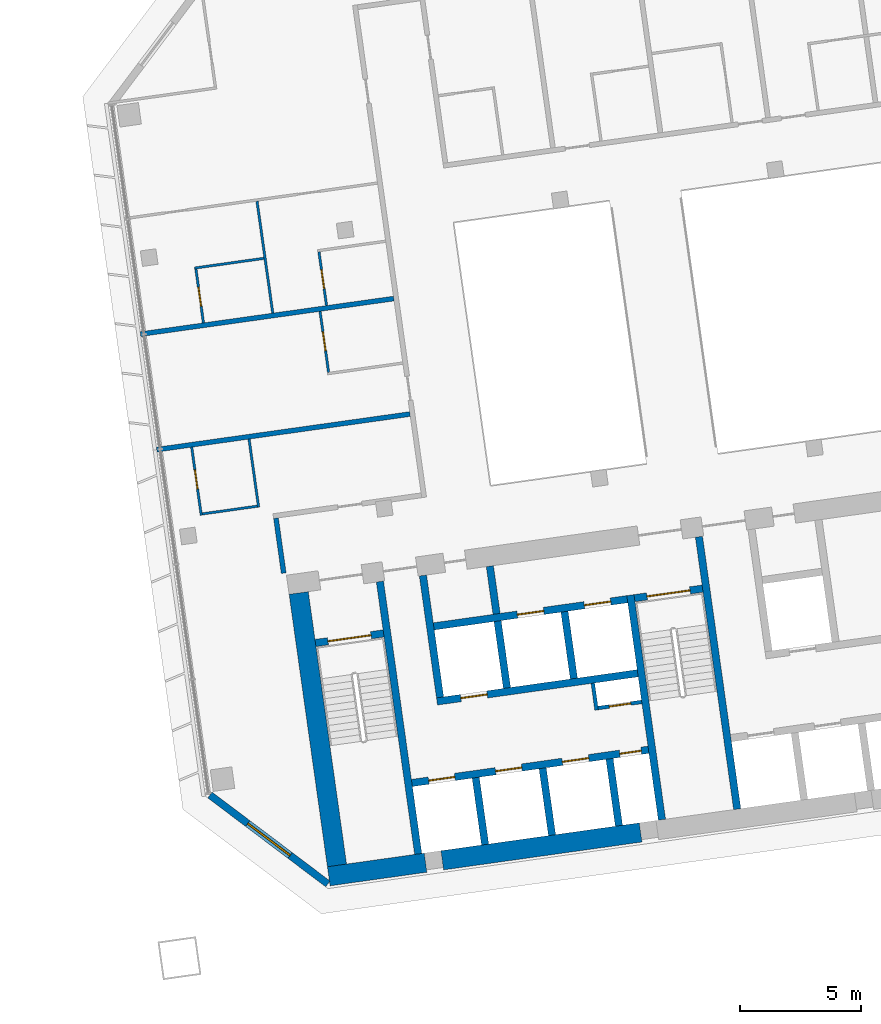
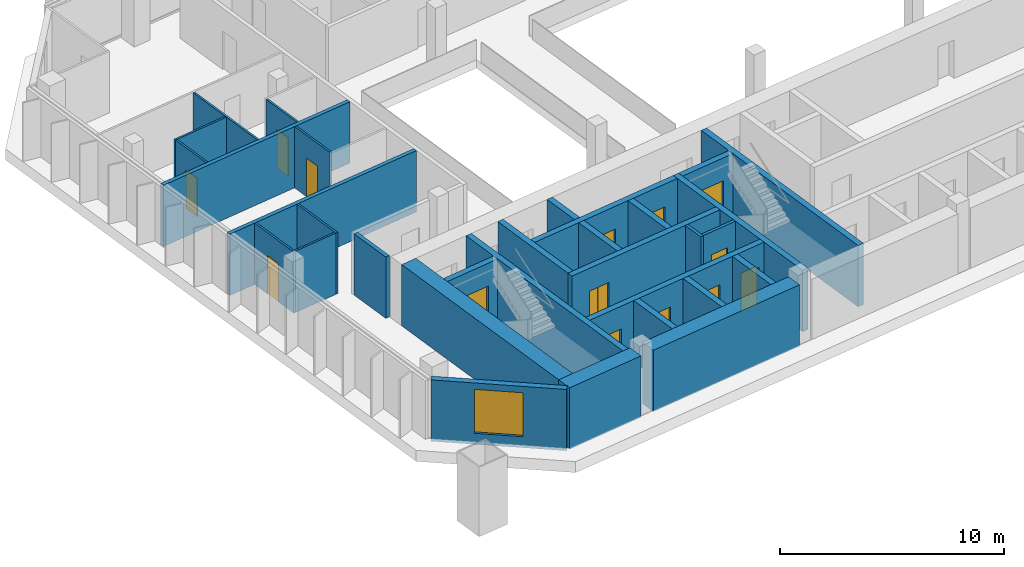
# One storey, part 20 of 26: 32 walls, 14 doors, 1 window, 15 openings.
"""IFC4 building model written with IfcOpenShell, lengths in metres."""

from ifc_helpers import new_model, si_unit, direction, frame, frame_2d, origin, place, context, subcontext, project, spatial, rectangle, extrude, material, layer, layer_set, type_object, element, fill, save


model = new_model("IFC4")

# Units and contexts
model_context = context("Model", 3, precision=1e-05, world=origin(), true_north=direction((0.0, 1.0)))
body_context = subcontext(model_context, "Body", "Model", "MODEL_VIEW")
ifc_project = project(units=[si_unit("LENGTHUNIT", "METRE"), si_unit("AREAUNIT", "SQUARE_METRE"), si_unit("VOLUMEUNIT", "CUBIC_METRE"), si_unit("PLANEANGLEUNIT", "RADIAN"), si_unit("MASSUNIT", "GRAM", prefix="KILO")], contexts=[model_context])

# Site, building, storey
site_placement = place(None, origin())
site = spatial("IfcSite", under=ifc_project, at=site_placement, CompositionType="ELEMENT")
building_placement = place(site_placement, origin())
building = spatial("IfcBuilding", under=site, at=building_placement, Name="Mirante Cascada Hotel Towers", CompositionType="ELEMENT")
storey_placement = place(building_placement, frame((0.0, 0.0, 98.7)))
storey = spatial("IfcBuildingStorey", under=building, at=storey_placement, Name="L21", CompositionType="ELEMENT", Elevation=98.7)

# Walls
ifc_material_1 = material(Name="Fire-rated plasterboard on metal studs")
ifc_layer_1 = layer(ifc_material_1, 0.2)
ifc_layer_set_1 = layer_set([ifc_layer_1], Name="Compartment wall 200 EI 120")
wall_type_1 = type_object("IfcWallType", Name="Compartment wall 200 EI 120", PredefinedType="PARTITIONING", material=ifc_layer_set_1)
wall_1_placement = place(storey_placement, frame((30.0, -2.0, 0.0), z_axis=(0.0, 0.0, 1.0), x_axis=(0.9902684, 0.1391704, 0.0)))
element("IfcWall", 1, at=wall_1_placement, inside=storey, type_object=wall_type_1, Name="Wall 2-L21-04", PredefinedType="PARTITIONING", context=body_context, shape_type="SweptSolid", body=[
    extrude(rectangle(XDim=10.6, YDim=0.2, at=frame_2d((5.3, 0.0))), origin(), (0.0, 0.0, 1.0), 3.35),
])
wall_2_placement = place(storey_placement, frame((29.3273, 2.7863, 0.0), z_axis=(0.0, 0.0, 1.0), x_axis=(0.9902686, 0.1391691, 0.0)))
element("IfcWall", 2, at=wall_2_placement, inside=storey, type_object=wall_type_1, Name="Wall 2-L21-06", PredefinedType="PARTITIONING", context=body_context, shape_type="SweptSolid", body=[
    extrude(rectangle(XDim=10.6001, YDim=0.2, at=frame_2d((5.3, 0.0))), origin(), (0.0, 0.0, 1.0), 3.35),
])
wall_3_placement = place(storey_placement, frame((34.9433, -4.8397, 0.0), z_axis=(0.0, 0.0, 1.0), x_axis=(0.1391749, -0.9902678, 0.0)))
element("IfcWall", 3, at=wall_3_placement, inside=storey, type_object=wall_type_1, Name="Wall 2-L21-23", PredefinedType="PARTITIONING", context=body_context, shape_type="SweptSolid", body=[
    extrude(rectangle(XDim=2.3, YDim=0.2, at=frame_2d((1.15, 0.0))), origin(), (0.0, 0.0, 1.0), 3.35),
])
ifc_material_2 = material(Name="Masonry block", Category="masonry")
ifc_layer_2 = layer(ifc_material_2, 0.15)
ifc_layer_set_2 = layer_set([ifc_layer_2], Name="Core room partition 150 block EI 30")
wall_type_2 = type_object("IfcWallType", Name="Core room partition 150 block EI 30", PredefinedType="PARTITIONING", material=ifc_layer_set_2)
wall_4_placement = place(storey_placement, frame((48.2295, -12.793, 0.0), z_axis=(0.0, 0.0, 1.0), x_axis=(-0.1391935, 0.9902652, 0.0)))
element("IfcWall", 4, at=wall_4_placement, inside=storey, type_object=wall_type_2, Name="Core wall partition T2 L21 2", PredefinedType="PARTITIONING", context=body_context, shape_type="SweptSolid", body=[
    extrude(rectangle(XDim=1.1251, YDim=0.15, at=frame_2d((0.5626, 0.0))), origin(), (0.0, 0.0, 1.0), 3.35),
])

# Wall, opening, door
wall_5_placement = place(storey_placement, frame((48.2933, -12.7083, 0.0), z_axis=(0.0, 0.0, 1.0), x_axis=(0.990268, 0.1391734, 0.0)))
wall_5 = element("IfcWall", 5, at=wall_5_placement, inside=storey, type_object=wall_type_2, Name="Core wall partition T2 L21 3", PredefinedType="PARTITIONING", context=body_context, shape_type="SweptSolid", body=[
    extrude(rectangle(XDim=1.8251, YDim=0.15, at=frame_2d((0.9126, 0.0))), origin(), (0.0, 0.0, 1.0), 3.35),
])
opening_1_placement = place(wall_5_placement, frame((0.4625, 0.0, 0.0)))
opening_1 = element("IfcOpeningElement", 6, at=opening_1_placement, cuts=wall_5, Name="Opening D2-21-C23", PredefinedType="OPENING", context=body_context, shape_type="SweptSolid", body=[
    extrude(rectangle(XDim=0.9, YDim=2.1, at=frame_2d((0.45, 1.05))), frame((0.0, 0.075, 0.0), z_axis=(0.0, -1.0, 0.0), x_axis=(1.0, 0.0, 0.0)), (0.0, 0.0, 1.0), 0.15),
])
ifc_material_3 = material(Name="Hollow metal fire door leaf")
door_type_1 = type_object("IfcDoorType", Name="Fire door 900x2100 FD60", OperationType="NOTDEFINED", PredefinedType="DOOR", material=ifc_material_3)
door_1_placement = place(opening_1_placement, frame((0.9, 0.0, 0.0), z_axis=(0.0, 0.0, 1.0), x_axis=(-1.0, 0.0, 0.0)))
door_1 = element("IfcDoor", 7, at=door_1_placement, inside=storey, type_object=door_type_1, Name="Riser door T2 L21 23", OperationType="SINGLE_SWING_RIGHT", OverallHeight=2.1, OverallWidth=0.9, PredefinedType="DOOR", context=body_context, shape_type="SweptSolid", body=[
    extrude(rectangle(XDim=0.9, YDim=2.1, at=frame_2d((0.45, 1.05))), frame((0.0, 0.025, 0.0), z_axis=(0.0, -1.0, 0.0), x_axis=(1.0, 0.0, 0.0)), (0.0, 0.0, 1.0), 0.05),
])
fill(opening_1, door_1)

# Walls
ifc_material_4 = material(Name="Masonry block", Category="masonry")
ifc_layer_3 = layer(ifc_material_4, 0.3)
ifc_layer_set_3 = layer_set([ifc_layer_3], Name="Core wall 300 block EI 120")
wall_type_3 = type_object("IfcWallType", Name="Core wall 300 block EI 120", PredefinedType="PARTITIONING", material=ifc_layer_set_3)
wall_6_placement = place(storey_placement, frame((44.0843, -8.8061, 0.0), z_axis=(0.0, 0.0, 1.0), x_axis=(-0.1391951, 0.990265, 0.0)))
element("IfcWall", 8, at=wall_6_placement, inside=storey, type_object=wall_type_3, Name="Core wall partition T2 L21 1", PredefinedType="PARTITIONING", context=body_context, shape_type="SweptSolid", body=[
    extrude(rectangle(XDim=2.0001, YDim=0.3, at=frame_2d((1.0001, 0.0))), origin(), (0.0, 0.0, 1.0), 3.35),
])
ifc_material_5 = material(Name="Plasterboard on metal studs")
ifc_layer_4 = layer(ifc_material_5, 0.1)
ifc_layer_set_4 = layer_set([ifc_layer_4], Name="Partition 100")
wall_type_4 = type_object("IfcWallType", Name="Partition 100", PredefinedType="PARTITIONING", material=ifc_layer_set_4)
wall_7_placement = place(storey_placement, frame((34.1666, -4.3429, 0.0), z_axis=(0.0, 0.0, 1.0), x_axis=(-0.9902678, -0.1391749, 0.0)))
element("IfcWall", 9, at=wall_7_placement, inside=storey, type_object=wall_type_4, Name="Wall 2-L21-03", PredefinedType="PARTITIONING", context=body_context, shape_type="SweptSolid", body=[
    extrude(rectangle(XDim=2.3, YDim=0.1, at=frame_2d((1.15, 0.0))), origin(), (0.0, 0.0, 1.0), 3.35),
])
wall_8_placement = place(storey_placement, frame((34.4398, 5.9284, 0.0), z_axis=(0.0, 0.0, 1.0), x_axis=(-0.9902683, -0.1391714, 0.0)))
element("IfcWall", 10, at=wall_8_placement, inside=storey, type_object=wall_type_4, Name="Wall 2-L21-07", PredefinedType="PARTITIONING", context=body_context, shape_type="SweptSolid", body=[
    extrude(rectangle(XDim=2.9, YDim=0.1, at=frame_2d((1.45, 0.0))), origin(), (0.0, 0.0, 1.0), 3.35),
])

# Wall, opening, door
wall_9_placement = place(storey_placement, frame((31.8464, -4.7195, 0.0), z_axis=(0.0, 0.0, 1.0), x_axis=(-0.1391564, 0.9902704, 0.0)))
wall_9 = element("IfcWall", 11, at=wall_9_placement, inside=storey, type_object=wall_type_4, Name="Wall 2-L21-20", PredefinedType="PARTITIONING", context=body_context, shape_type="SweptSolid", body=[
    extrude(rectangle(XDim=2.85, YDim=0.1, at=frame_2d((1.425, 0.0))), origin(), (0.0, 0.0, 1.0), 3.35),
])
opening_2_placement = place(wall_9_placement, frame((1.1, 0.0, 0.0)))
opening_2 = element("IfcOpeningElement", 12, at=opening_2_placement, cuts=wall_9, Name="Opening D2-L21-21", PredefinedType="OPENING", context=body_context, shape_type="SweptSolid", body=[
    extrude(rectangle(XDim=0.8, YDim=2.1, at=frame_2d((0.4, 1.05))), frame((0.0, 0.05, 0.0), z_axis=(0.0, -1.0, 0.0), x_axis=(1.0, 0.0, 0.0)), (0.0, 0.0, 1.0), 0.1),
])
ifc_material_6 = material(Name="Timber door leaf", Category="wood")
door_type_2 = type_object("IfcDoorType", Name="Bathroom door DG4 800x2100", OperationType="SINGLE_SWING_LEFT", PredefinedType="DOOR", material=ifc_material_6)
door_2_placement = place(opening_2_placement, frame((0.8, 0.0, 0.0), z_axis=(0.0, 0.0, 1.0), x_axis=(-1.0, 0.0, 0.0)))
door_2 = element("IfcDoor", 13, at=door_2_placement, inside=storey, type_object=door_type_2, Name="Door D2-L21-21", OperationType="SINGLE_SWING_RIGHT", OverallHeight=2.1, OverallWidth=0.8, PredefinedType="DOOR", context=body_context, shape_type="SweptSolid", body=[
    extrude(rectangle(XDim=0.8, YDim=2.1, at=frame_2d((0.4, 1.05))), frame((0.0, 0.025, 0.0), z_axis=(0.0, -1.0, 0.0), x_axis=(1.0, 0.0, 0.0)), (0.0, 0.0, 1.0), 0.05),
])
fill(opening_2, door_2)

wall_10_placement = place(storey_placement, frame((31.6245, 5.4822, 0.0), z_axis=(0.0, 0.0, 1.0), x_axis=(0.1391561, -0.9902705, 0.0)))
wall_10 = element("IfcWall", 14, at=wall_10_placement, inside=storey, type_object=wall_type_4, Name="Wall 2-L21-21", PredefinedType="PARTITIONING", context=body_context, shape_type="SweptSolid", body=[
    extrude(rectangle(XDim=2.25, YDim=0.1, at=frame_2d((1.125, 0.0))), origin(), (0.0, 0.0, 1.0), 3.35),
])
opening_3_placement = place(wall_10_placement, frame((0.75, 0.0, 0.0)))
opening_3 = element("IfcOpeningElement", 15, at=opening_3_placement, cuts=wall_10, Name="Opening D2-L21-22", PredefinedType="OPENING", context=body_context, shape_type="SweptSolid", body=[
    extrude(rectangle(XDim=0.8, YDim=2.1, at=frame_2d((0.4, 1.05))), frame((0.0, 0.05, 0.0), z_axis=(0.0, -1.0, 0.0), x_axis=(1.0, 0.0, 0.0)), (0.0, 0.0, 1.0), 0.1),
])
door_3_placement = place(opening_3_placement, origin())
door_3 = element("IfcDoor", 16, at=door_3_placement, inside=storey, type_object=door_type_2, Name="Door D2-L21-22", OperationType="SINGLE_SWING_LEFT", OverallHeight=2.1, OverallWidth=0.8, PredefinedType="DOOR", context=body_context, shape_type="SweptSolid", body=[
    extrude(rectangle(XDim=0.8, YDim=2.1, at=frame_2d((0.4, 1.05))), frame((0.0, 0.025, 0.0), z_axis=(0.0, -1.0, 0.0), x_axis=(1.0, 0.0, 0.0)), (0.0, 0.0, 1.0), 0.05),
])
fill(opening_3, door_3)

# Walls
wall_11_placement = place(storey_placement, frame((34.2231, -4.3855, 0.0), z_axis=(0.0, 0.0, 1.0), x_axis=(-0.1391909, 0.9902656, 0.0)))
element("IfcWall", 17, at=wall_11_placement, inside=storey, type_object=wall_type_4, Name="Wall 2-L21-22", PredefinedType="PARTITIONING", context=body_context, shape_type="SweptSolid", body=[
    extrude(rectangle(XDim=2.85, YDim=0.1, at=frame_2d((1.425, 0.0))), origin(), (0.0, 0.0, 1.0), 3.35),
])
wall_12_placement = place(storey_placement, frame((34.1576, 8.2955, 0.0), z_axis=(0.0, 0.0, 1.0), x_axis=(0.139173, -0.9902681, 0.0)))
element("IfcWall", 18, at=wall_12_placement, inside=storey, type_object=wall_type_4, Name="Wall 2-L21-25", PredefinedType="PARTITIONING", context=body_context, shape_type="SweptSolid", body=[
    extrude(rectangle(XDim=4.6834, YDim=0.1, at=frame_2d((2.3417, 0.0))), origin(), (0.0, 0.0, 1.0), 3.35),
])

# Wall, opening, door
wall_13_placement = place(storey_placement, frame((37.1232, 1.2059, 0.0), z_axis=(0.0, 0.0, 1.0), x_axis=(-0.1391809, 0.990267, 0.0)))
wall_13 = element("IfcWall", 19, at=wall_13_placement, inside=storey, type_object=wall_type_4, Name="Wall 2-L21-26", PredefinedType="PARTITIONING", context=body_context, shape_type="SweptSolid", body=[
    extrude(rectangle(XDim=2.5499, YDim=0.1, at=frame_2d((1.275, 0.0))), origin(), (0.0, 0.0, 1.0), 3.35),
])
opening_4_placement = place(wall_13_placement, frame((0.9, 0.0, 0.0)))
opening_4 = element("IfcOpeningElement", 20, at=opening_4_placement, cuts=wall_13, Name="Opening D2-L21-24", PredefinedType="OPENING", context=body_context, shape_type="SweptSolid", body=[
    extrude(rectangle(XDim=0.8, YDim=2.1, at=frame_2d((0.4, 1.05))), frame((0.0, 0.05, 0.0), z_axis=(0.0, -1.0, 0.0), x_axis=(1.0, 0.0, 0.0)), (0.0, 0.0, 1.0), 0.1),
])
door_4_placement = place(opening_4_placement, origin())
door_4 = element("IfcDoor", 21, at=door_4_placement, inside=storey, type_object=door_type_2, Name="Door D2-L21-24", OperationType="SINGLE_SWING_LEFT", OverallHeight=2.1, OverallWidth=0.8, PredefinedType="DOOR", context=body_context, shape_type="SweptSolid", body=[
    extrude(rectangle(XDim=0.8, YDim=2.1, at=frame_2d((0.4, 1.05))), frame((0.0, 0.025, 0.0), z_axis=(0.0, -1.0, 0.0), x_axis=(1.0, 0.0, 0.0)), (0.0, 0.0, 1.0), 0.05),
])
fill(opening_4, door_4)

wall_14_placement = place(storey_placement, frame((36.7244, 6.1989, 0.0), z_axis=(0.0, 0.0, 1.0), x_axis=(0.1391561, -0.9902705, 0.0)))
wall_14 = element("IfcWall", 22, at=wall_14_placement, inside=storey, type_object=wall_type_4, Name="Wall 2-L21-27", PredefinedType="PARTITIONING", context=body_context, shape_type="SweptSolid", body=[
    extrude(rectangle(XDim=2.25, YDim=0.1, at=frame_2d((1.125, 0.0))), origin(), (0.0, 0.0, 1.0), 3.35),
])
opening_5_placement = place(wall_14_placement, frame((0.75, 0.0, 0.0)))
opening_5 = element("IfcOpeningElement", 23, at=opening_5_placement, cuts=wall_14, Name="Opening D2-L21-25", PredefinedType="OPENING", context=body_context, shape_type="SweptSolid", body=[
    extrude(rectangle(XDim=0.8, YDim=2.1, at=frame_2d((0.4, 1.05))), frame((0.0, 0.05, 0.0), z_axis=(0.0, -1.0, 0.0), x_axis=(1.0, 0.0, 0.0)), (0.0, 0.0, 1.0), 0.1),
])
door_5_placement = place(opening_5_placement, origin())
door_5 = element("IfcDoor", 24, at=door_5_placement, inside=storey, type_object=door_type_2, Name="Door D2-L21-25", OperationType="SINGLE_SWING_LEFT", OverallHeight=2.1, OverallWidth=0.8, PredefinedType="DOOR", context=body_context, shape_type="SweptSolid", body=[
    extrude(rectangle(XDim=0.8, YDim=2.1, at=frame_2d((0.4, 1.05))), frame((0.0, 0.025, 0.0), z_axis=(0.0, -1.0, 0.0), x_axis=(1.0, 0.0, 0.0)), (0.0, 0.0, 1.0), 0.05),
])
fill(opening_5, door_5)

# Wall, opening, window
ifc_material_7 = material(Name="Precast concrete C40/50", Category="concrete")
ifc_layer_5 = layer(ifc_material_7, 0.3)
ifc_layer_set_5 = layer_set([ifc_layer_5], Name="Precast concrete C40/50 cladding wall 300")
wall_type_5 = type_object("IfcWallType", Name="Precast concrete C40/50 cladding wall 300", PredefinedType="STANDARD", material=ifc_layer_set_5)
wall_15_placement = place(storey_placement, frame((32.2074, -16.3138, 0.0), z_axis=(0.0, 0.0, 1.0), x_axis=(0.7986362, -0.6018141, 0.0)))
wall_15 = element("IfcWall", 25, at=wall_15_placement, inside=storey, type_object=wall_type_5, Name="Corner cladding wall T2 L21 inner rear", PredefinedType="STANDARD", context=body_context, shape_type="SweptSolid", body=[
    extrude(rectangle(XDim=6.1157, YDim=0.3, at=frame_2d((3.0578, 0.0))), origin(), (0.0, 0.0, 1.0), 3.35),
])
opening_6_placement = place(wall_15_placement, frame((1.9578, 0.0, 0.6)))
opening_6 = element("IfcOpeningElement", 26, at=opening_6_placement, cuts=wall_15, Name="Opening W2-21-04", PredefinedType="OPENING", context=body_context, shape_type="SweptSolid", body=[
    extrude(rectangle(XDim=2.2, YDim=2.4, at=frame_2d((1.1, 1.2))), frame((0.0, 0.15, 0.0), z_axis=(0.0, -1.0, 0.0), x_axis=(1.0, 0.0, 0.0)), (0.0, 0.0, 1.0), 0.3),
])
ifc_material_8 = material(Name="Aluminium frame with clear double glazing", Category="aluminium")
window_type = type_object("IfcWindowType", Name="Corner suite window 2200x2400", PartitioningType="DOUBLE_PANEL_VERTICAL", PredefinedType="WINDOW", material=ifc_material_8)
window_placement = place(opening_6_placement, origin())
window = element("IfcWindow", 27, at=window_placement, inside=storey, type_object=window_type, Name="Window W2-21-04", OverallHeight=2.4, OverallWidth=2.2, PartitioningType="SINGLE_PANEL", PredefinedType="WINDOW", context=body_context, shape_type="SweptSolid", body=[
    extrude(rectangle(XDim=2.2, YDim=2.4, at=frame_2d((1.1, 1.2))), frame((0.0, 0.03, 0.0), z_axis=(0.0, -1.0, 0.0), x_axis=(1.0, 0.0, 0.0)), (0.0, 0.0, 1.0), 0.06),
])
fill(opening_6, window)

# Walls
ifc_material_9 = material(Name="Concrete C50/60", Category="concrete")
ifc_layer_6 = layer(ifc_material_9, 0.3)
ifc_layer_set_6 = layer_set([ifc_layer_6], Name="RC core wall 300 C50/60")
wall_type_6 = type_object("IfcWallType", Name="RC core wall 300 C50/60", PredefinedType="SHEAR", material=ifc_layer_set_6)
wall_16_placement = place(storey_placement, frame((40.8373, -18.7548, 0.0), z_axis=(0.0, 0.0, 1.0), x_axis=(-0.1391749, 0.9902678, 0.0)))
element("IfcWall", 28, at=wall_16_placement, inside=storey, type_object=wall_type_6, Name="Core wall T2:L21:5", PredefinedType="SHEAR", context=body_context, shape_type="SweptSolid", body=[
    extrude(rectangle(XDim=11.4, YDim=0.3, at=frame_2d((5.7, 0.0))), origin(), (0.0, 0.0, 1.0), 3.35),
])
wall_17_placement = place(storey_placement, frame((50.938, -17.3352, 0.0), z_axis=(0.0, 0.0, 1.0), x_axis=(-0.1391706, 0.9902684, 0.0)))
element("IfcWall", 29, at=wall_17_placement, inside=storey, type_object=wall_type_6, Name="Core wall T2:L21:6", PredefinedType="SHEAR", context=body_context, shape_type="SweptSolid", body=[
    extrude(rectangle(XDim=9.4, YDim=0.3, at=frame_2d((4.7, 0.0))), origin(), (0.0, 0.0, 1.0), 3.35),
])
wall_18_placement = place(storey_placement, frame((54.0574, -16.8968, 0.0), z_axis=(0.0, 0.0, 1.0), x_axis=(-0.1391761, 0.9902677, 0.0)))
element("IfcWall", 30, at=wall_18_placement, inside=storey, type_object=wall_type_6, Name="Core wall T2:L21:7", PredefinedType="SHEAR", context=body_context, shape_type="SweptSolid", body=[
    extrude(rectangle(XDim=11.3999, YDim=0.3, at=frame_2d((5.7, 0.0))), origin(), (0.0, 0.0, 1.0), 3.35),
])

# Wall, opening, door
wall_19_placement = place(storey_placement, frame((36.5791, -10.0123, 0.0), z_axis=(0.0, 0.0, 1.0), x_axis=(0.9902704, 0.1391564, 0.0)))
wall_19 = element("IfcWall", 31, at=wall_19_placement, inside=storey, type_object=wall_type_6, Name="Core wall T2:L21:9", PredefinedType="SHEAR", context=body_context, shape_type="SweptSolid", body=[
    extrude(rectangle(XDim=2.85, YDim=0.3, at=frame_2d((1.425, 0.0))), origin(), (0.0, 0.0, 1.0), 3.35),
])
opening_7_placement = place(wall_19_placement, frame((0.525, 0.0, 0.0)))
opening_7 = element("IfcOpeningElement", 32, at=opening_7_placement, cuts=wall_19, Name="Opening D2-21-C13", PredefinedType="OPENING", context=body_context, shape_type="SweptSolid", body=[
    extrude(rectangle(XDim=1.8, YDim=2.1, at=frame_2d((0.9, 1.05))), frame((0.0, 0.15, 0.0), z_axis=(0.0, -1.0, 0.0), x_axis=(1.0, 0.0, 0.0)), (0.0, 0.0, 1.0), 0.3),
])
ifc_material_10 = material(Name="Hollow metal fire door leaf")
door_type_3 = type_object("IfcDoorType", Name="Double fire door 1800x2100 FD60", OperationType="DOUBLE_DOOR_SINGLE_SWING", PredefinedType="DOOR", material=ifc_material_10)
door_6_placement = place(opening_7_placement, frame((1.8, 0.0, 0.0), z_axis=(0.0, 0.0, 1.0), x_axis=(-1.0, 0.0, 0.0)))
door_6 = element("IfcDoor", 33, at=door_6_placement, inside=storey, type_object=door_type_3, Name="Stair door T2 L21 13", OperationType="DOUBLE_DOOR_SINGLE_SWING", OverallHeight=2.1, OverallWidth=1.8, PredefinedType="DOOR", context=body_context, shape_type="SweptSolid", body=[
    extrude(rectangle(XDim=0.895, YDim=2.1, at=frame_2d((0.4475, 1.05))), frame((0.0, 0.025, 0.0), z_axis=(0.0, -1.0, 0.0), x_axis=(1.0, 0.0, 0.0)), (0.0, 0.0, 1.0), 0.05),
    extrude(rectangle(XDim=0.895, YDim=2.1, at=frame_2d((1.3525, 1.05))), frame((0.0, 0.025, 0.0), z_axis=(0.0, -1.0, 0.0), x_axis=(1.0, 0.0, 0.0)), (0.0, 0.0, 1.0), 0.05),
])
fill(opening_7, door_6)

wall_20_placement = place(storey_placement, frame((49.7992, -8.1544, 0.0), z_axis=(0.0, 0.0, 1.0), x_axis=(0.9902656, 0.1391909, 0.0)))
wall_20 = element("IfcWall", 34, at=wall_20_placement, inside=storey, type_object=wall_type_6, Name="Core wall T2:L21:10", PredefinedType="SHEAR", context=body_context, shape_type="SweptSolid", body=[
    extrude(rectangle(XDim=2.85, YDim=0.3, at=frame_2d((1.425, 0.0))), origin(), (0.0, 0.0, 1.0), 3.35),
])
opening_8_placement = place(wall_20_placement, frame((0.525, 0.0, 0.0)))
opening_8 = element("IfcOpeningElement", 35, at=opening_8_placement, cuts=wall_20, Name="Opening D2-21-C15", PredefinedType="OPENING", context=body_context, shape_type="SweptSolid", body=[
    extrude(rectangle(XDim=1.8, YDim=2.1, at=frame_2d((0.9, 1.05))), frame((0.0, 0.15, 0.0), z_axis=(0.0, -1.0, 0.0), x_axis=(1.0, 0.0, 0.0)), (0.0, 0.0, 1.0), 0.3),
])
door_7_placement = place(opening_8_placement, frame((1.8, 0.0, 0.0), z_axis=(0.0, 0.0, 1.0), x_axis=(-1.0, 0.0, 0.0)))
door_7 = element("IfcDoor", 36, at=door_7_placement, inside=storey, type_object=door_type_3, Name="Stair door T2 L21 15", OperationType="DOUBLE_DOOR_SINGLE_SWING", OverallHeight=2.1, OverallWidth=1.8, PredefinedType="DOOR", context=body_context, shape_type="SweptSolid", body=[
    extrude(rectangle(XDim=0.895, YDim=2.1, at=frame_2d((0.4475, 1.05))), frame((0.0, 0.025, 0.0), z_axis=(0.0, -1.0, 0.0), x_axis=(1.0, 0.0, 0.0)), (0.0, 0.0, 1.0), 0.05),
    extrude(rectangle(XDim=0.895, YDim=2.1, at=frame_2d((1.3525, 1.05))), frame((0.0, 0.025, 0.0), z_axis=(0.0, -1.0, 0.0), x_axis=(1.0, 0.0, 0.0)), (0.0, 0.0, 1.0), 0.05),
])
fill(opening_8, door_7)

# Wall, openings, doors
wall_21_placement = place(storey_placement, frame((40.5753, -15.8126, 0.0), z_axis=(0.0, 0.0, 1.0), x_axis=(0.9902682, 0.1391725, 0.0)))
wall_21 = element("IfcWall", 37, at=wall_21_placement, inside=storey, type_object=wall_type_6, Name="Core wall T2:L21:12", PredefinedType="SHEAR", context=body_context, shape_type="SweptSolid", body=[
    extrude(rectangle(XDim=9.8999, YDim=0.3, at=frame_2d((4.95, 0.0))), origin(), (0.0, 0.0, 1.0), 3.35),
])
opening_9_placement = place(wall_21_placement, frame((0.7, 0.0, 0.0)))
opening_9 = element("IfcOpeningElement", 38, at=opening_9_placement, cuts=wall_21, Name="Opening LD", PredefinedType="OPENING", context=body_context, shape_type="SweptSolid", body=[
    extrude(rectangle(XDim=1.1, YDim=2.1, at=frame_2d((0.55, 1.05))), frame((0.0, 0.15, 0.0), z_axis=(0.0, -1.0, 0.0), x_axis=(1.0, 0.0, 0.0)), (0.0, 0.0, 1.0), 0.3),
])
opening_10_placement = place(wall_21_placement, frame((3.5, 0.0, 0.0)))
opening_10 = element("IfcOpeningElement", 39, at=opening_10_placement, cuts=wall_21, Name="Opening LD", PredefinedType="OPENING", context=body_context, shape_type="SweptSolid", body=[
    extrude(rectangle(XDim=1.1, YDim=2.1, at=frame_2d((0.55, 1.05))), frame((0.0, 0.15, 0.0), z_axis=(0.0, -1.0, 0.0), x_axis=(1.0, 0.0, 0.0)), (0.0, 0.0, 1.0), 0.3),
])
opening_11_placement = place(wall_21_placement, frame((6.3, 0.0, 0.0)))
opening_11 = element("IfcOpeningElement", 40, at=opening_11_placement, cuts=wall_21, Name="Opening LD", PredefinedType="OPENING", context=body_context, shape_type="SweptSolid", body=[
    extrude(rectangle(XDim=1.1, YDim=2.1, at=frame_2d((0.55, 1.05))), frame((0.0, 0.15, 0.0), z_axis=(0.0, -1.0, 0.0), x_axis=(1.0, 0.0, 0.0)), (0.0, 0.0, 1.0), 0.3),
])
opening_12_placement = place(wall_21_placement, frame((8.7, 0.0, 0.0)))
opening_12 = element("IfcOpeningElement", 41, at=opening_12_placement, cuts=wall_21, Name="Opening D2-21-C22", PredefinedType="OPENING", context=body_context, shape_type="SweptSolid", body=[
    extrude(rectangle(XDim=0.9, YDim=2.1, at=frame_2d((0.45, 1.05))), frame((0.0, 0.15, 0.0), z_axis=(0.0, -1.0, 0.0), x_axis=(1.0, 0.0, 0.0)), (0.0, 0.0, 1.0), 0.3),
])
door_8_placement = place(opening_12_placement, frame((0.9, 0.0, 0.0), z_axis=(0.0, 0.0, 1.0), x_axis=(-1.0, 0.0, 0.0)))
door_8 = element("IfcDoor", 42, at=door_8_placement, inside=storey, type_object=door_type_1, Name="Riser door T2 L21 22", OperationType="SINGLE_SWING_RIGHT", OverallHeight=2.1, OverallWidth=0.9, PredefinedType="DOOR", context=body_context, shape_type="SweptSolid", body=[
    extrude(rectangle(XDim=0.9, YDim=2.1, at=frame_2d((0.45, 1.05))), frame((0.0, 0.025, 0.0), z_axis=(0.0, -1.0, 0.0), x_axis=(1.0, 0.0, 0.0)), (0.0, 0.0, 1.0), 0.05),
])
fill(opening_12, door_8)
ifc_material_11 = material(Name="Stainless steel", Category="steel")
door_type_4 = type_object("IfcDoorType", Name="Lift landing door 1100x2100 EI 120", OperationType="DOUBLE_DOOR_SLIDING", PredefinedType="DOOR", material=ifc_material_11)
door_9_placement = place(opening_9_placement, origin())
door_9 = element("IfcDoor", 43, at=door_9_placement, inside=storey, type_object=door_type_4, Name="Lift landing door HR2-1 L21", OperationType="DOUBLE_DOOR_SLIDING", OverallHeight=2.1, OverallWidth=1.1, PredefinedType="DOOR", context=body_context, shape_type="SweptSolid", body=[
    extrude(rectangle(XDim=0.545, YDim=2.1, at=frame_2d((0.2725, 1.05))), frame((0.0, 0.025, 0.0), z_axis=(0.0, -1.0, 0.0), x_axis=(1.0, 0.0, 0.0)), (0.0, 0.0, 1.0), 0.05),
    extrude(rectangle(XDim=0.545, YDim=2.1, at=frame_2d((0.8275, 1.05))), frame((0.0, 0.025, 0.0), z_axis=(0.0, -1.0, 0.0), x_axis=(1.0, 0.0, 0.0)), (0.0, 0.0, 1.0), 0.05),
])
fill(opening_9, door_9)
door_10_placement = place(opening_10_placement, origin())
door_10 = element("IfcDoor", 44, at=door_10_placement, inside=storey, type_object=door_type_4, Name="Lift landing door HR2-2 L21", OperationType="DOUBLE_DOOR_SLIDING", OverallHeight=2.1, OverallWidth=1.1, PredefinedType="DOOR", context=body_context, shape_type="SweptSolid", body=[
    extrude(rectangle(XDim=0.545, YDim=2.1, at=frame_2d((0.2725, 1.05))), frame((0.0, 0.025, 0.0), z_axis=(0.0, -1.0, 0.0), x_axis=(1.0, 0.0, 0.0)), (0.0, 0.0, 1.0), 0.05),
    extrude(rectangle(XDim=0.545, YDim=2.1, at=frame_2d((0.8275, 1.05))), frame((0.0, 0.025, 0.0), z_axis=(0.0, -1.0, 0.0), x_axis=(1.0, 0.0, 0.0)), (0.0, 0.0, 1.0), 0.05),
])
fill(opening_10, door_10)
door_11_placement = place(opening_11_placement, origin())
door_11 = element("IfcDoor", 45, at=door_11_placement, inside=storey, type_object=door_type_4, Name="Lift landing door HR2-3 L21", OperationType="DOUBLE_DOOR_SLIDING", OverallHeight=2.1, OverallWidth=1.1, PredefinedType="DOOR", context=body_context, shape_type="SweptSolid", body=[
    extrude(rectangle(XDim=0.545, YDim=2.1, at=frame_2d((0.2725, 1.05))), frame((0.0, 0.025, 0.0), z_axis=(0.0, -1.0, 0.0), x_axis=(1.0, 0.0, 0.0)), (0.0, 0.0, 1.0), 0.05),
    extrude(rectangle(XDim=0.545, YDim=2.1, at=frame_2d((0.8275, 1.05))), frame((0.0, 0.025, 0.0), z_axis=(0.0, -1.0, 0.0), x_axis=(1.0, 0.0, 0.0)), (0.0, 0.0, 1.0), 0.05),
])
fill(opening_11, door_11)

# Wall, opening, door
wall_22_placement = place(storey_placement, frame((41.6153, -12.435, 0.0), z_axis=(0.0, 0.0, 1.0), x_axis=(0.9902691, 0.139166, 0.0)))
wall_22 = element("IfcWall", 46, at=wall_22_placement, inside=storey, type_object=wall_type_6, Name="Core wall T2:L21:13", PredefinedType="SHEAR", context=body_context, shape_type="SweptSolid", body=[
    extrude(rectangle(XDim=8.4, YDim=0.3, at=frame_2d((4.2, 0.0))), origin(), (0.0, 0.0, 1.0), 3.35),
])
opening_13_placement = place(wall_22_placement, frame((1.0, 0.0, 0.0)))
opening_13 = element("IfcOpeningElement", 47, at=opening_13_placement, cuts=wall_22, Name="Opening LD", PredefinedType="OPENING", context=body_context, shape_type="SweptSolid", body=[
    extrude(rectangle(XDim=1.1, YDim=2.1, at=frame_2d((0.55, 1.05))), frame((0.0, 0.15, 0.0), z_axis=(0.0, -1.0, 0.0), x_axis=(1.0, 0.0, 0.0)), (0.0, 0.0, 1.0), 0.3),
])
door_12_placement = place(opening_13_placement, origin())
door_12 = element("IfcDoor", 48, at=door_12_placement, inside=storey, type_object=door_type_4, Name="Lift landing door HR2-4 L21", OperationType="DOUBLE_DOOR_SLIDING", OverallHeight=2.1, OverallWidth=1.1, PredefinedType="DOOR", context=body_context, shape_type="SweptSolid", body=[
    extrude(rectangle(XDim=0.545, YDim=2.1, at=frame_2d((0.2725, 1.05))), frame((0.0, 0.025, 0.0), z_axis=(0.0, -1.0, 0.0), x_axis=(1.0, 0.0, 0.0)), (0.0, 0.0, 1.0), 0.05),
    extrude(rectangle(XDim=0.545, YDim=2.1, at=frame_2d((0.8275, 1.05))), frame((0.0, 0.025, 0.0), z_axis=(0.0, -1.0, 0.0), x_axis=(1.0, 0.0, 0.0)), (0.0, 0.0, 1.0), 0.05),
])
fill(opening_13, door_12)

# Wall, openings, doors
wall_23_placement = place(storey_placement, frame((41.481, -9.3234, 0.0), z_axis=(0.0, 0.0, 1.0), x_axis=(0.9902679, 0.1391741, 0.0)))
wall_23 = element("IfcWall", 49, at=wall_23_placement, inside=storey, type_object=wall_type_6, Name="Core wall T2:L21:14", PredefinedType="SHEAR", context=body_context, shape_type="SweptSolid", body=[
    extrude(rectangle(XDim=8.0999, YDim=0.3, at=frame_2d((4.05, 0.0))), origin(), (0.0, 0.0, 1.0), 3.35),
])
opening_14_placement = place(wall_23_placement, frame((3.5, 0.0, 0.0)))
opening_14 = element("IfcOpeningElement", 50, at=opening_14_placement, cuts=wall_23, Name="Opening LD", PredefinedType="OPENING", context=body_context, shape_type="SweptSolid", body=[
    extrude(rectangle(XDim=1.1, YDim=2.1, at=frame_2d((0.55, 1.05))), frame((0.0, 0.15, 0.0), z_axis=(0.0, -1.0, 0.0), x_axis=(1.0, 0.0, 0.0)), (0.0, 0.0, 1.0), 0.3),
])
opening_15_placement = place(wall_23_placement, frame((6.3, 0.0, 0.0)))
opening_15 = element("IfcOpeningElement", 51, at=opening_15_placement, cuts=wall_23, Name="Opening LD", PredefinedType="OPENING", context=body_context, shape_type="SweptSolid", body=[
    extrude(rectangle(XDim=1.1, YDim=2.1, at=frame_2d((0.55, 1.05))), frame((0.0, 0.15, 0.0), z_axis=(0.0, -1.0, 0.0), x_axis=(1.0, 0.0, 0.0)), (0.0, 0.0, 1.0), 0.3),
])
door_13_placement = place(opening_14_placement, origin())
door_13 = element("IfcDoor", 52, at=door_13_placement, inside=storey, type_object=door_type_4, Name="Lift landing door FF3 L21", OperationType="DOUBLE_DOOR_SLIDING", OverallHeight=2.1, OverallWidth=1.1, PredefinedType="DOOR", context=body_context, shape_type="SweptSolid", body=[
    extrude(rectangle(XDim=0.545, YDim=2.1, at=frame_2d((0.2725, 1.05))), frame((0.0, 0.025, 0.0), z_axis=(0.0, -1.0, 0.0), x_axis=(1.0, 0.0, 0.0)), (0.0, 0.0, 1.0), 0.05),
    extrude(rectangle(XDim=0.545, YDim=2.1, at=frame_2d((0.8275, 1.05))), frame((0.0, 0.025, 0.0), z_axis=(0.0, -1.0, 0.0), x_axis=(1.0, 0.0, 0.0)), (0.0, 0.0, 1.0), 0.05),
])
fill(opening_14, door_13)
door_14_placement = place(opening_15_placement, origin())
door_14 = element("IfcDoor", 53, at=door_14_placement, inside=storey, type_object=door_type_4, Name="Lift landing door FF4 L21", OperationType="DOUBLE_DOOR_SLIDING", OverallHeight=2.1, OverallWidth=1.1, PredefinedType="DOOR", context=body_context, shape_type="SweptSolid", body=[
    extrude(rectangle(XDim=0.545, YDim=2.1, at=frame_2d((0.2725, 1.05))), frame((0.0, 0.025, 0.0), z_axis=(0.0, -1.0, 0.0), x_axis=(1.0, 0.0, 0.0)), (0.0, 0.0, 1.0), 0.05),
    extrude(rectangle(XDim=0.545, YDim=2.1, at=frame_2d((0.8275, 1.05))), frame((0.0, 0.025, 0.0), z_axis=(0.0, -1.0, 0.0), x_axis=(1.0, 0.0, 0.0)), (0.0, 0.0, 1.0), 0.05),
])
fill(opening_15, door_14)

# Walls
wall_24_placement = place(storey_placement, frame((43.61, -18.3651, 0.0), z_axis=(0.0, 0.0, 1.0), x_axis=(-0.1391459, 0.9902719, 0.0)))
element("IfcWall", 54, at=wall_24_placement, inside=storey, type_object=wall_type_6, Name="Core wall T2:L21:15", PredefinedType="SHEAR", context=body_context, shape_type="SweptSolid", body=[
    extrude(rectangle(XDim=2.7999, YDim=0.3, at=frame_2d((1.4, 0.0))), origin(), (0.0, 0.0, 1.0), 3.35),
])
wall_25_placement = place(storey_placement, frame((46.3828, -17.9754, 0.0), z_axis=(0.0, 0.0, 1.0), x_axis=(-0.139181, 0.990267, 0.0)))
element("IfcWall", 55, at=wall_25_placement, inside=storey, type_object=wall_type_6, Name="Core wall T2:L21:16", PredefinedType="SHEAR", context=body_context, shape_type="SweptSolid", body=[
    extrude(rectangle(XDim=2.8, YDim=0.3, at=frame_2d((1.4, 0.0))), origin(), (0.0, 0.0, 1.0), 3.35),
])
wall_26_placement = place(storey_placement, frame((49.1555, -17.5857, 0.0), z_axis=(0.0, 0.0, 1.0), x_axis=(-0.1391459, 0.9902719, 0.0)))
element("IfcWall", 56, at=wall_26_placement, inside=storey, type_object=wall_type_6, Name="Core wall T2:L21:17", PredefinedType="SHEAR", context=body_context, shape_type="SweptSolid", body=[
    extrude(rectangle(XDim=2.7999, YDim=0.3, at=frame_2d((1.4, 0.0))), origin(), (0.0, 0.0, 1.0), 3.35),
])
for number, where, z_axis, x_axis, name in (
    (57, (44.5157, -11.8759, 0.0), (0.0, 0.0, 1.0), (-0.139181, 0.990267, 0.0), "Core wall T2:L21:18"),
    (58, (47.2885, -11.4862, 0.0), (0.0, 0.0, 1.0), (-0.139181, 0.990267, 0.0), "Core wall T2:L21:19"),
):
    element("IfcWall", number, at=place(storey_placement, frame(where, z_axis=z_axis, x_axis=x_axis)), inside=storey, type_object=wall_type_6, Name=name, PredefinedType="SHEAR", context=body_context, shape_type="SweptSolid", body=[
        extrude(rectangle(XDim=2.8, YDim=0.3, at=frame_2d((1.4, 0.0))), origin(), (0.0, 0.0, 1.0), 3.35),
    ])
wall_27_placement = place(storey_placement, frame((41.743, -12.2656, 0.0), z_axis=(0.0, 0.0, 1.0), x_axis=(-0.1391755, 0.9902677, 0.0)))
element("IfcWall", 59, at=wall_27_placement, inside=storey, type_object=wall_type_6, Name="Core wall T2:L21:20", PredefinedType="SHEAR", context=body_context, shape_type="SweptSolid", body=[
    extrude(rectangle(XDim=5.1, YDim=0.3, at=frame_2d((2.55, 0.0))), origin(), (0.0, 0.0, 1.0), 3.35),
])
ifc_material_12 = material(Name="Concrete C50/60", Category="concrete")
ifc_layer_7 = layer(ifc_material_12, 0.8)
ifc_layer_set_7 = layer_set([ifc_layer_7], Name="RC core wall 800 C50/60")
wall_type_7 = type_object("IfcWallType", Name="RC core wall 800 C50/60", PredefinedType="SHEAR", material=ifc_layer_set_7)
wall_28_placement = place(storey_placement, frame((37.1299, -19.6798, 0.0), z_axis=(0.0, 0.0, 1.0), x_axis=(0.9902665, 0.1391845, 0.0)))
element("IfcWall", 60, at=wall_28_placement, inside=storey, type_object=wall_type_7, Name="Core wall T2:L21:1.1", PredefinedType="SHEAR", context=body_context, shape_type="SweptSolid", body=[
    extrude(rectangle(XDim=4.05, YDim=0.8, at=frame_2d((2.025, 0.0))), origin(), (0.0, 0.0, 1.0), 3.35),
])
wall_29_placement = place(storey_placement, frame((41.8337, -19.0187, 0.0), z_axis=(0.0, 0.0, 1.0), x_axis=(0.9902686, 0.1391692, 0.0)))
element("IfcWall", 61, at=wall_29_placement, inside=storey, type_object=wall_type_7, Name="Core wall T2:L21:1.2", PredefinedType="SHEAR", context=body_context, shape_type="SweptSolid", body=[
    extrude(rectangle(XDim=8.3, YDim=0.8, at=frame_2d((4.15, 0.0))), origin(), (0.0, 0.0, 1.0), 3.35),
])
wall_30_placement = place(storey_placement, frame((37.4704, -19.228, 0.0), z_axis=(0.0, 0.0, 1.0), x_axis=(-0.1391749, 0.9902678, 0.0)))
element("IfcWall", 62, at=wall_30_placement, inside=storey, type_object=wall_type_7, Name="Core wall T2:L21:3", PredefinedType="SHEAR", context=body_context, shape_type="SweptSolid", body=[
    extrude(rectangle(XDim=11.4, YDim=0.8, at=frame_2d((5.7, 0.0))), origin(), (0.0, 0.0, 1.0), 3.35),
])

save(model, "model.ifc")
